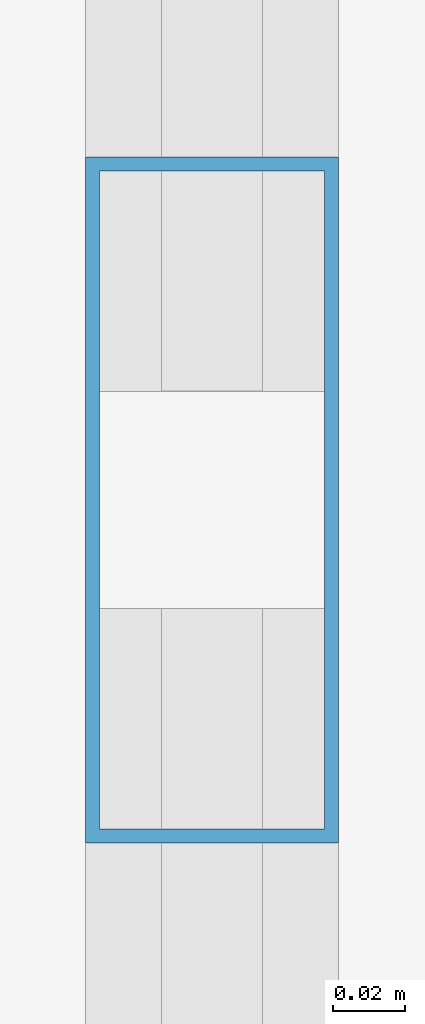
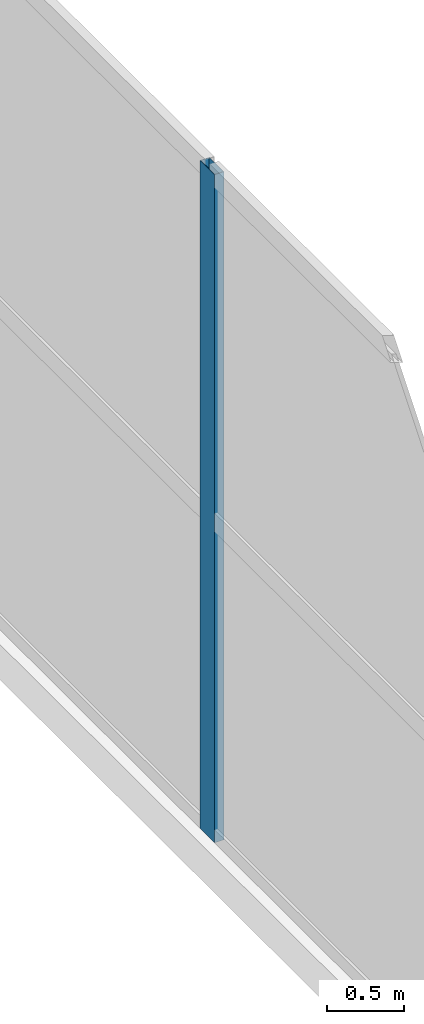
# One storey, part 6 of 35: 1 member, 1 element without a shape of its own.
"""IFC4 building model written with IfcOpenShell, lengths in metres."""

from ifc_helpers import new_model, si_unit, direction, frame, origin, origin_2d, place, context, subcontext, project, spatial, hollow_rectangle, extrude, material, layer, layer_set, material_profile, profile_set, type_object, element, aggregate, save


model = new_model("IFC4")

# Units and contexts
model_context = context("Model", 3, precision=1e-05, world=origin(), true_north=direction((0.0, 1.0)))
body_context = subcontext(model_context, "Body", "Model", "MODEL_VIEW")
ifc_project = project(units=[si_unit("LENGTHUNIT", "METRE"), si_unit("AREAUNIT", "SQUARE_METRE"), si_unit("VOLUMEUNIT", "CUBIC_METRE"), si_unit("PLANEANGLEUNIT", "RADIAN"), si_unit("MASSUNIT", "GRAM", prefix="KILO")], contexts=[model_context])

# Site, building, storey
site_placement = place(None, origin())
site = spatial("IfcSite", under=ifc_project, at=site_placement, CompositionType="ELEMENT")
building_placement = place(site_placement, origin())
building = spatial("IfcBuilding", under=site, at=building_placement, Name="Maruvema Waterfront Hotel and Observation Tower", CompositionType="ELEMENT")
storey_placement = place(building_placement, origin())
storey = spatial("IfcBuildingStorey", under=building, at=storey_placement, Name="L00", CompositionType="ELEMENT", Elevation=0.0)

# Curtain wall, member
ifc_material_1 = material(Name="Anodised bronze aluminium and solar-control low-E IGU", Category="aluminium")
ifc_layer = layer(ifc_material_1, 0.159912109375, Name="Podium Waterfront Storefront Curtain Wall System CW-01")
ifc_layer_set = layer_set([ifc_layer], Name="Anodised bronze aluminium and solar-control low-E IGU")
curtain_wall_type = type_object("IfcCurtainWallType", Name="Podium Waterfront Storefront Curtain Wall System CW-01", PredefinedType="USERDEFINED", material=ifc_layer_set)
curtain_wall_placement = place(storey_placement, origin())
curtain_wall = element("IfcCurtainWall", 1, at=curtain_wall_placement, inside=storey, type_object=curtain_wall_type, Name="L00 Curtain Wall CW-L00-W", ObjectType="UNITISED CURTAIN WALL", PredefinedType="USERDEFINED")
ifc_material_2 = material(Name="Anodised architectural bronze aluminium", Category="aluminium")
ifc_material_profile = material_profile(ifc_material_2, hollow_rectangle(XDim=0.070068359375, YDim=0.18994140625, WallThickness=0.00390625, at=origin_2d()), Name="ALU-M70x190")
ifc_profile_set = profile_set([ifc_material_profile], Name="Anodised architectural bronze aluminium")
member_type = type_object("IfcMemberType", Name="Podium Storefront Heavy Mullion ALU-M70x190", PredefinedType="MULLION", material=ifc_profile_set)
member_placement = place(storey_placement, frame((0.1201171875, 14.083251953125, 0.0), z_axis=(0.0, 0.0, 1.0), x_axis=(1.0, 0.0, 0.0)))
member = element("IfcMember", 2, at=member_placement, type_object=member_type, Name="CW-01 mullion 6", PredefinedType="MULLION", context=body_context, shape_type="SweptSolid", body=[
    extrude(hollow_rectangle(XDim=0.070068359375, YDim=0.18994140625, WallThickness=0.00390625, at=origin_2d()), origin(), (0.0, 0.0, 1.0), 5.320068359375),
])
aggregate(curtain_wall, [member])

save(model, "model.ifc")
